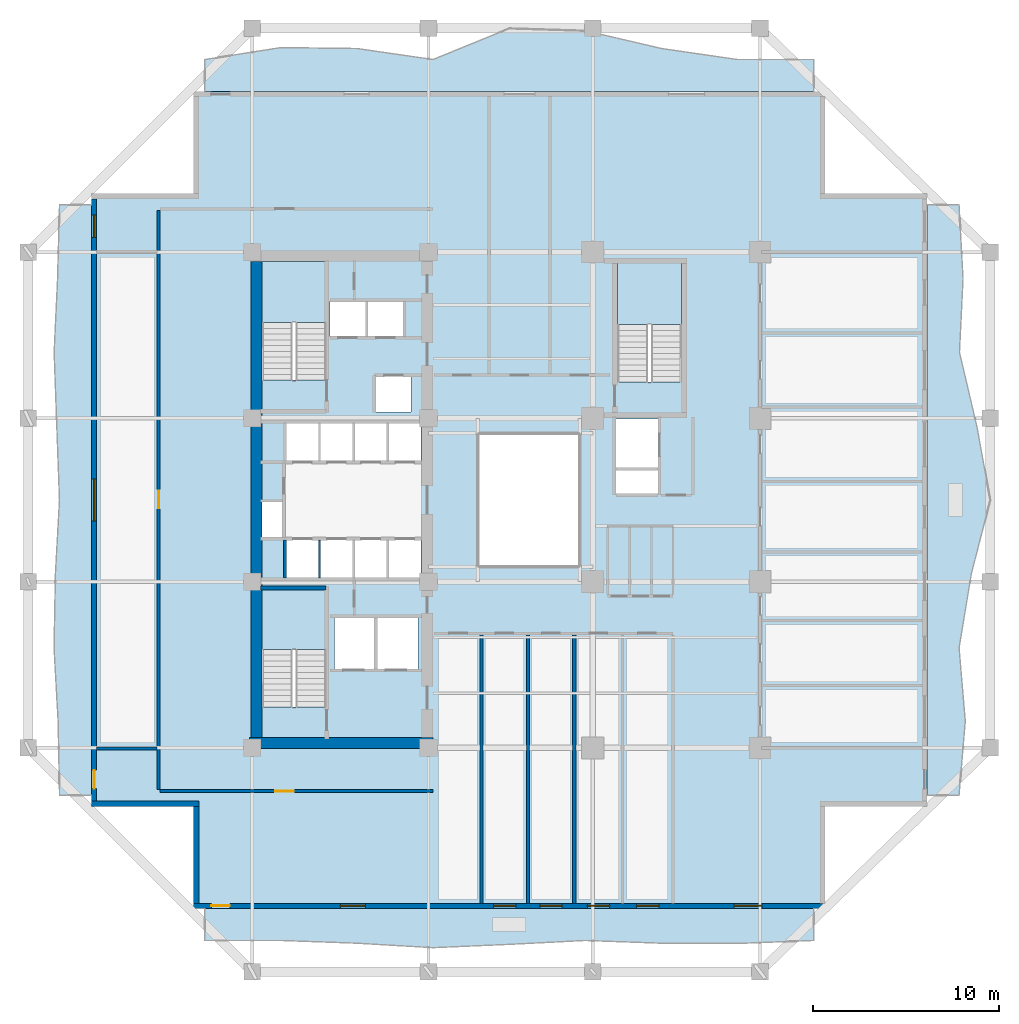
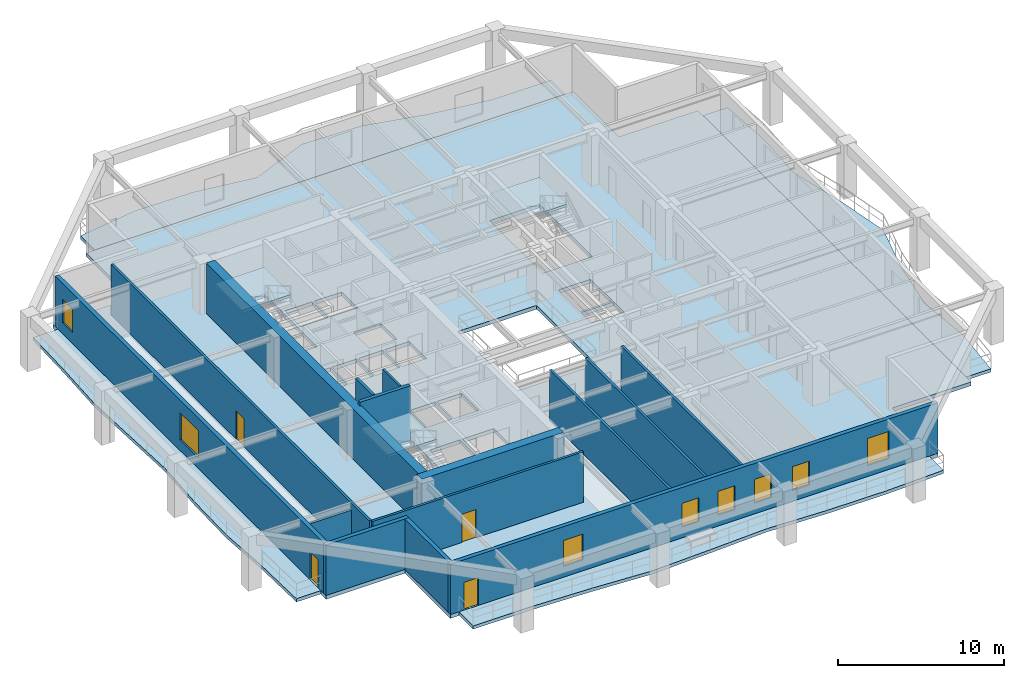
# One storey, part 2 of 13: 15 walls, 8 slabs, 8 windows, 4 doors, 12 openings, 3 elements without a shape of their own.
"""IFC4 building model written with IfcOpenShell, lengths in metres."""

from ifc_helpers import new_model, si_unit, direction, frame, frame_2d, origin, place, context, subcontext, project, spatial, polyline, rectangle, outline, extrude, material, layer, layer_set, type_object, element, fill, aggregate, save


model = new_model("IFC4")

# Units and contexts
model_context = context("Model", 3, precision=1e-05, world=origin(), true_north=direction((0.0, 1.0)))
body_context = subcontext(model_context, "Body", "Model", "MODEL_VIEW")
ifc_project = project(units=[si_unit("LENGTHUNIT", "METRE"), si_unit("AREAUNIT", "SQUARE_METRE"), si_unit("VOLUMEUNIT", "CUBIC_METRE"), si_unit("PLANEANGLEUNIT", "RADIAN"), si_unit("MASSUNIT", "GRAM", prefix="KILO")], contexts=[model_context])

# Site, building, storey
site_placement = place(None, origin())
site = spatial("IfcSite", under=ifc_project, at=site_placement, CompositionType="ELEMENT")
building_placement = place(site_placement, origin())
building = spatial("IfcBuilding", under=site, at=building_placement, Name="Kundavana Baori Tower", CompositionType="ELEMENT")
storey_placement = place(building_placement, frame((0.0, 0.0, 62.0)))
storey = spatial("IfcBuildingStorey", under=building, at=storey_placement, Name="L14", CompositionType="ELEMENT", Elevation=62.0)

# Slab
ifc_material_1 = material(Name="Concrete C40/50", Category="concrete")
ifc_layer_1 = layer(ifc_material_1, 0.280029296875, Name="SLB-FLR-280")
ifc_layer_set_1 = layer_set([ifc_layer_1], Name="Concrete C40/50")
slab_type_1 = type_object("IfcSlabType", Name="SLB-FLR-280", PredefinedType="FLOOR", material=ifc_layer_set_1)
slab_1_placement = place(storey_placement, frame((0.0, 0.0, -0.280029296875)))
element("IfcSlab", 1, at=slab_1_placement, inside=storey, type_object=slab_type_1, Name="L14 Structural Floor Slab", PredefinedType="FLOOR", context=body_context, shape_type="SweptSolid", body=[
    extrude(outline(polyline([(12.300048828125, 6.60009765625), (46.300048828125, 6.60009765625), (46.300048828125, 12.10009765625), (51.800048828125, 12.10009765625), (51.800048828125, 45.10009765625), (46.300048828125, 45.10009765625), (46.300048828125, 50.60009765625), (12.300048828125, 50.60009765625), (12.300048828125, 45.10009765625), (6.800048828125, 45.10009765625), (6.800048828125, 12.10009765625), (12.300048828125, 12.10009765625), (12.300048828125, 6.60009765625)]), holes=[polyline([(19.43994140625, 17.4619140625), (19.43994140625, 23.85009765625), (15.97998046875, 23.85009765625), (15.97998046875, 17.4619140625), (19.43994140625, 17.4619140625)]), polyline([(19.43994140625, 35.06201171875), (19.43994140625, 41.449951171875), (15.97998046875, 41.449951171875), (15.97998046875, 35.06201171875), (19.43994140625, 35.06201171875)]), polyline([(38.580078125, 34.9619140625), (38.580078125, 41.35009765625), (35.1201171875, 41.35009765625), (35.1201171875, 34.9619140625), (38.580078125, 34.9619140625)]), polyline([(17.300048828125, 24.39990234375), (19.02001953125, 24.39990234375), (19.02001953125, 26.449951171875), (17.300048828125, 26.449951171875), (17.300048828125, 24.39990234375)]), polyline([(19.139892578125, 24.39990234375), (20.860107421875, 24.39990234375), (20.860107421875, 26.449951171875), (19.139892578125, 26.449951171875), (19.139892578125, 24.39990234375)]), polyline([(20.97998046875, 24.39990234375), (22.699951171875, 24.39990234375), (22.699951171875, 26.449951171875), (20.97998046875, 26.449951171875), (20.97998046875, 24.39990234375)]), polyline([(22.820068359375, 24.39990234375), (24.5400390625, 24.39990234375), (24.5400390625, 26.449951171875), (22.820068359375, 26.449951171875), (22.820068359375, 24.39990234375)]), polyline([(17.300048828125, 30.699951171875), (19.02001953125, 30.699951171875), (19.02001953125, 32.75), (17.300048828125, 32.75), (17.300048828125, 30.699951171875)]), polyline([(19.139892578125, 30.699951171875), (20.860107421875, 30.699951171875), (20.860107421875, 32.75), (19.139892578125, 32.75), (19.139892578125, 30.699951171875)]), polyline([(20.97998046875, 30.699951171875), (22.699951171875, 30.699951171875), (22.699951171875, 32.75), (20.97998046875, 32.75), (20.97998046875, 30.699951171875)]), polyline([(22.820068359375, 30.699951171875), (24.5400390625, 30.699951171875), (24.5400390625, 32.75), (22.820068359375, 32.75), (22.820068359375, 30.699951171875)]), polyline([(19.64990234375, 37.39990234375), (21.550048828125, 37.39990234375), (21.550048828125, 39.300048828125), (19.64990234375, 39.300048828125), (19.64990234375, 37.39990234375)]), polyline([(21.699951171875, 37.39990234375), (23.60009765625, 37.39990234375), (23.60009765625, 39.300048828125), (21.699951171875, 39.300048828125), (21.699951171875, 37.39990234375)]), polyline([(22.10009765625, 33.35009765625), (24.0, 33.35009765625), (24.0, 35.25), (22.10009765625, 35.25), (22.10009765625, 33.35009765625)]), polyline([(19.8798828125, 19.5), (22.02001953125, 19.5), (22.02001953125, 22.25), (19.8798828125, 22.25), (19.8798828125, 19.5)]), polyline([(22.179931640625, 19.5), (24.3798828125, 19.5), (24.3798828125, 22.25), (22.179931640625, 22.25), (22.179931640625, 19.5)]), polyline([(35.050048828125, 30.35009765625), (37.300048828125, 30.35009765625), (37.300048828125, 32.949951171875), (35.050048828125, 32.949951171875), (35.050048828125, 30.35009765625)]), polyline([(15.949951171875, 26.60009765625), (17.080078125, 26.60009765625), (17.080078125, 28.5), (15.949951171875, 28.5), (15.949951171875, 26.60009765625)]), polyline([(35.050048828125, 28.949951171875), (37.300048828125, 28.949951171875), (37.300048828125, 30.199951171875), (35.050048828125, 30.199951171875), (35.050048828125, 28.949951171875)]), polyline([(27.60009765625, 25.0), (33.10009765625, 25.0), (33.10009765625, 32.199951171875), (27.60009765625, 32.199951171875), (27.60009765625, 25.0)])]), origin(), (0.0, 0.0, 1.0), 0.280029296875),
])

# Stair, slab
ifc_material_2 = material(Name="Concrete C40/50", Category="concrete")
stair_type = type_object("IfcStairType", Name="STR-DOG-1650", PredefinedType="HALF_TURN_STAIR", material=ifc_material_2)
stair_1_placement = place(storey_placement, origin())
stair_1 = element("IfcStair", 2, at=stair_1_placement, inside=storey, type_object=stair_type, Name="L14 Protected Exit Stair ST1", PredefinedType="HALF_TURN_STAIR")
ifc_material_3 = material(Name="Concrete C40/50", Category="concrete")
ifc_layer_2 = layer(ifc_material_3, 0.199951171875, Name="SLB-LND-200")
ifc_layer_set_2 = layer_set([ifc_layer_2], Name="Concrete C40/50")
slab_type_2 = type_object("IfcSlabType", Name="SLB-LND-200", PredefinedType="LANDING", material=ifc_layer_set_2)
slab_2_placement = place(storey_placement, frame((0.0, 0.0, 1.800048828125)))
slab_2 = element("IfcSlab", 3, at=slab_2_placement, type_object=slab_type_2, Name="ST1 landing 1", PredefinedType="LANDING", context=body_context, shape_type="SweptSolid", body=[
    extrude(outline(polyline([(19.43994140625, 20.550048828125), (19.43994140625, 23.85009765625), (15.97998046875, 23.85009765625), (15.97998046875, 20.550048828125), (19.43994140625, 20.550048828125)])), origin(), (0.0, 0.0, 1.0), 0.199951171875),
])
aggregate(stair_1, [slab_2])

stair_2_placement = place(storey_placement, origin())
stair_2 = element("IfcStair", 4, at=stair_2_placement, inside=storey, type_object=stair_type, Name="L14 Protected Exit Stair ST2", PredefinedType="HALF_TURN_STAIR")
slab_3_placement = place(storey_placement, frame((0.0, 0.0, 1.800048828125)))
slab_3 = element("IfcSlab", 5, at=slab_3_placement, type_object=slab_type_2, Name="ST2 landing 1", PredefinedType="LANDING", context=body_context, shape_type="SweptSolid", body=[
    extrude(outline(polyline([(19.43994140625, 38.14990234375), (19.43994140625, 41.449951171875), (15.97998046875, 41.449951171875), (15.97998046875, 38.14990234375), (19.43994140625, 38.14990234375)])), origin(), (0.0, 0.0, 1.0), 0.199951171875),
])
aggregate(stair_2, [slab_3])

stair_3_placement = place(storey_placement, origin())
stair_3 = element("IfcStair", 6, at=stair_3_placement, inside=storey, type_object=stair_type, Name="L14 Protected Exit Stair ST3", PredefinedType="HALF_TURN_STAIR")
slab_4_placement = place(storey_placement, frame((0.0, 0.0, 1.800048828125)))
slab_4 = element("IfcSlab", 7, at=slab_4_placement, type_object=slab_type_2, Name="ST3 landing 1", PredefinedType="LANDING", context=body_context, shape_type="SweptSolid", body=[
    extrude(outline(polyline([(38.580078125, 38.050048828125), (38.580078125, 41.35009765625), (35.1201171875, 41.35009765625), (35.1201171875, 38.050048828125), (38.580078125, 38.050048828125)])), origin(), (0.0, 0.0, 1.0), 0.199951171875),
])
aggregate(stair_3, [slab_4])

# Slabs
ifc_material_4 = material(Name="Concrete C40/50", Category="concrete")
ifc_layer_3 = layer(ifc_material_4, 0.239990234375, Name="SLB-LOG-240")
ifc_layer_set_3 = layer_set([ifc_layer_3], Name="Concrete C40/50")
slab_type_3 = type_object("IfcSlabType", Name="SLB-LOG-240", PredefinedType="FLOOR", material=ifc_layer_set_3)
slab_5_placement = place(storey_placement, frame((0.0, 0.0, -0.239990234375)))
element("IfcSlab", 8, at=slab_5_placement, inside=storey, type_object=slab_type_3, Name="L14 Planted Loggia Balcony Slab S", PredefinedType="FLOOR", context=body_context, shape_type="SweptSolid", body=[
    extrude(outline(polyline([(12.89990234375, 6.60009765625), (45.699951171875, 6.60009765625), (45.699951171875, 4.8798828125), (41.60009765625, 4.718994140625), (37.5, 4.73193359375), (33.39990234375, 4.8798828125), (29.300048828125, 4.669921875), (25.199951171875, 4.491943359375), (21.10009765625, 4.73193359375), (17.0, 4.8798828125), (12.89990234375, 4.8798828125), (12.89990234375, 6.60009765625)])), origin(), (0.0, 0.0, 1.0), 0.239990234375),
])
slab_6_placement = place(storey_placement, frame((0.0, 0.0, -0.239990234375)))
element("IfcSlab", 9, at=slab_6_placement, inside=storey, type_object=slab_type_3, Name="L14 Planted Loggia Balcony Slab E", PredefinedType="FLOOR", context=body_context, shape_type="SweptSolid", body=[
    extrude(outline(polyline([(51.800048828125, 12.699951171875), (51.800048828125, 44.5), (53.52001953125, 44.5), (53.736083984375, 40.52490234375), (53.5439453125, 36.550048828125), (54.47998046875, 32.574951171875), (55.199951171875, 28.60009765625), (54.18505859375, 24.625), (53.52294921875, 20.64990234375), (53.85693359375, 16.675048828125), (53.52001953125, 12.699951171875), (51.800048828125, 12.699951171875)])), origin(), (0.0, 0.0, 1.0), 0.239990234375),
])
slab_7_placement = place(storey_placement, frame((0.0, 0.0, -0.239990234375)))
element("IfcSlab", 10, at=slab_7_placement, inside=storey, type_object=slab_type_3, Name="L14 Planted Loggia Balcony Slab N", PredefinedType="FLOOR", context=body_context, shape_type="SweptSolid", body=[
    extrude(outline(polyline([(45.699951171875, 50.60009765625), (12.89990234375, 50.60009765625), (12.89990234375, 52.320068359375), (17.0, 52.962890625), (21.10009765625, 52.9140625), (25.199951171875, 52.320068359375), (29.300048828125, 54.0), (33.39990234375, 53.8720703125), (37.5, 52.9140625), (41.60009765625, 52.320068359375), (45.699951171875, 52.320068359375), (45.699951171875, 50.60009765625)])), origin(), (0.0, 0.0, 1.0), 0.239990234375),
])
slab_8_placement = place(storey_placement, frame((0.0, 0.0, -0.239990234375)))
element("IfcSlab", 11, at=slab_8_placement, inside=storey, type_object=slab_type_3, Name="L14 Planted Loggia Balcony Slab W", PredefinedType="FLOOR", context=body_context, shape_type="SweptSolid", body=[
    extrude(outline(polyline([(6.800048828125, 44.5), (6.800048828125, 12.699951171875), (5.080078125, 12.699951171875), (5.0029296875, 16.675048828125), (4.783935546875, 20.64990234375), (4.85791015625, 24.625), (5.075927734375, 28.60009765625), (4.931884765625, 32.574951171875), (4.7890625, 36.550048828125), (4.972900390625, 40.52490234375), (5.080078125, 44.5), (6.800048828125, 44.5)])), origin(), (0.0, 0.0, 1.0), 0.239990234375),
])

# Walls
ifc_material_5 = material(Name="Concrete C50/60", Category="concrete")
ifc_layer_4 = layer(ifc_material_5, 0.39990234375, Name="WL-CORE-400")
ifc_layer_set_4 = layer_set([ifc_layer_4], Name="Concrete C50/60")
wall_type_1 = type_object("IfcWallType", Name="WL-CORE-400", PredefinedType="SHEAR", material=ifc_layer_set_4)
wall_1_placement = place(storey_placement, frame((15.89990234375, 23.860107421875, 0.0), z_axis=(0.0, 0.0, 1.0), x_axis=(1.0, 0.0, 0.0)))
element("IfcWall", 12, at=wall_1_placement, inside=storey, type_object=wall_type_1, Name="WL-L14-ST1-N", PredefinedType="SHEAR", context=body_context, shape_type="SweptSolid", body=[
    extrude(rectangle(XDim=3.52001953125, YDim=0.239990234375, at=frame_2d((1.760009765625, 0.0))), origin(), (0.0, 0.0, 1.0), 4.0),
])
ifc_material_6 = material(Name="Concrete C60/75", Category="concrete")
ifc_layer_5 = layer(ifc_material_6, 0.60009765625, Name="WL-CORE-600")
ifc_layer_set_5 = layer_set([ifc_layer_5], Name="Concrete C60/75")
wall_type_2 = type_object("IfcWallType", Name="WL-CORE-600", PredefinedType="SHEAR", material=ifc_layer_set_5)
wall_2_placement = place(storey_placement, frame((15.300048828125, 15.510009765625, 0.0), z_axis=(0.0, 0.0, 1.0), x_axis=(1.0, 0.0, 0.0)))
element("IfcWall", 13, at=wall_2_placement, inside=storey, type_object=wall_type_2, Name="L14 Offset Core South Shear Wall", PredefinedType="SHEAR", context=body_context, shape_type="SweptSolid", body=[
    extrude(rectangle(XDim=9.8798828125, YDim=0.60009765625, at=frame_2d((4.93994140625, 0.0))), origin(), (0.0, 0.0, 1.0), 3.719970703125),
])
wall_3_placement = place(storey_placement, frame((15.68994140625, 15.81005859375, 0.0), z_axis=(0.0, 0.0, 1.0), x_axis=(0.0, 1.0, 0.0)))
element("IfcWall", 14, at=wall_3_placement, inside=storey, type_object=wall_type_2, Name="L14 Offset Core West Shear Wall", PredefinedType="SHEAR", context=body_context, shape_type="SweptSolid", body=[
    extrude(rectangle(XDim=25.6298828125, YDim=0.60009765625, at=frame_2d((12.81494140625, 0.0))), origin(), (0.0, 0.0, 1.0), 3.719970703125),
])

# Wall, openings, door, windows
ifc_material_7 = material(Name="Red-Buff Dholpur Sandstone Cladding on Concrete C40/50", Category="masonry")
ifc_layer_6 = layer(ifc_material_7, 0.280029296875, Name="WL-EXT-SAND-280")
ifc_layer_set_6 = layer_set([ifc_layer_6], Name="Red-Buff Dholpur Sandstone Cladding on Concrete C40/50")
wall_type_3 = type_object("IfcWallType", Name="WL-EXT-SAND-280", PredefinedType="STANDARD", material=ifc_layer_set_6)
wall_4_placement = place(storey_placement, frame((12.300048828125, 6.739990234375, 0.0), z_axis=(0.0, 0.0, 1.0), x_axis=(1.0, 0.0, 0.0)))
wall_4 = element("IfcWall", 15, at=wall_4_placement, inside=storey, type_object=wall_type_3, Name="L14 Exterior Insulated Facade Wall 01", PredefinedType="STANDARD", context=body_context, shape_type="SweptSolid", body=[
    extrude(rectangle(XDim=34.0, YDim=0.280029296875, at=frame_2d((17.0, 0.0))), origin(), (0.0, 0.0, 1.0), 3.719970703125),
])
opening_1_placement = place(wall_4_placement, frame((0.949951171875, 0.0, 0.0)))
opening_1 = element("IfcOpeningElement", 16, at=opening_1_placement, cuts=wall_4, Name="Opening BD-1", PredefinedType="OPENING", context=body_context, shape_type="SweptSolid", body=[
    extrude(rectangle(XDim=1.0, YDim=2.050048828125, at=frame_2d((0.5, 1.02490234375))), frame((0.0, 0.14990234375, 0.0), z_axis=(0.0, -1.0, 0.0), x_axis=(1.0, 0.0, 0.0)), (0.0, 0.0, 1.0), 0.300048828125),
])
opening_2_placement = place(wall_4_placement, frame((7.905029296875, 0.0, 0.800048828125)))
opening_2 = element("IfcOpeningElement", 17, at=opening_2_placement, cuts=wall_4, Name="Opening W-07", PredefinedType="OPENING", context=body_context, shape_type="SweptSolid", body=[
    extrude(rectangle(XDim=1.35009765625, YDim=1.89990234375, at=frame_2d((0.675048828125, 0.949951171875))), frame((0.0, 0.14990234375, 0.0), z_axis=(0.0, -1.0, 0.0), x_axis=(1.0, 0.0, 0.0)), (0.0, 0.0, 1.0), 0.300048828125),
])
opening_3_placement = place(wall_4_placement, frame((16.14990234375, 0.0, 0.800048828125)))
opening_3 = element("IfcOpeningElement", 18, at=opening_3_placement, cuts=wall_4, Name="Opening W-03", PredefinedType="OPENING", context=body_context, shape_type="SweptSolid", body=[
    extrude(rectangle(XDim=1.199951171875, YDim=1.75, at=frame_2d((0.60009765625, 0.875))), frame((0.0, 0.14990234375, 0.0), z_axis=(0.0, -1.0, 0.0), x_axis=(1.0, 0.0, 0.0)), (0.0, 0.0, 1.0), 0.300048828125),
])
opening_4_placement = place(wall_4_placement, frame((18.64990234375, 0.0, 0.800048828125)))
opening_4 = element("IfcOpeningElement", 19, at=opening_4_placement, cuts=wall_4, Name="Opening W-03", PredefinedType="OPENING", context=body_context, shape_type="SweptSolid", body=[
    extrude(rectangle(XDim=1.199951171875, YDim=1.75, at=frame_2d((0.60009765625, 0.875))), frame((0.0, 0.14990234375, 0.0), z_axis=(0.0, -1.0, 0.0), x_axis=(1.0, 0.0, 0.0)), (0.0, 0.0, 1.0), 0.300048828125),
])
opening_5_placement = place(wall_4_placement, frame((21.199951171875, 0.0, 0.800048828125)))
opening_5 = element("IfcOpeningElement", 20, at=opening_5_placement, cuts=wall_4, Name="Opening W-03", PredefinedType="OPENING", context=body_context, shape_type="SweptSolid", body=[
    extrude(rectangle(XDim=1.199951171875, YDim=1.75, at=frame_2d((0.60009765625, 0.875))), frame((0.0, 0.14990234375, 0.0), z_axis=(0.0, -1.0, 0.0), x_axis=(1.0, 0.0, 0.0)), (0.0, 0.0, 1.0), 0.300048828125),
])
opening_6_placement = place(wall_4_placement, frame((23.860107421875, 0.0, 0.800048828125)))
opening_6 = element("IfcOpeningElement", 21, at=opening_6_placement, cuts=wall_4, Name="Opening W-03", PredefinedType="OPENING", context=body_context, shape_type="SweptSolid", body=[
    extrude(rectangle(XDim=1.199951171875, YDim=1.75, at=frame_2d((0.60009765625, 0.875))), frame((0.0, 0.14990234375, 0.0), z_axis=(0.0, -1.0, 0.0), x_axis=(1.0, 0.0, 0.0)), (0.0, 0.0, 1.0), 0.300048828125),
])
opening_7_placement = place(wall_4_placement, frame((29.10498046875, 0.0, 0.800048828125)))
opening_7 = element("IfcOpeningElement", 22, at=opening_7_placement, cuts=wall_4, Name="Opening W-02", PredefinedType="OPENING", context=body_context, shape_type="SweptSolid", body=[
    extrude(rectangle(XDim=1.5, YDim=2.0, at=frame_2d((0.75, 1.0))), frame((0.0, 0.14990234375, 0.0), z_axis=(0.0, -1.0, 0.0), x_axis=(1.0, 0.0, 0.0)), (0.0, 0.0, 1.0), 0.300048828125),
])
ifc_material_8 = material(Name="Architectural Patinated Bronze Metalwork")
door_type_1 = type_object("IfcDoorType", Name="DR-EXT-LOG-1000", OperationType="NOTDEFINED", PredefinedType="DOOR", material=ifc_material_8)
door_1_placement = place(opening_1_placement, frame((1.0, 0.0, 0.0), z_axis=(0.0, 0.0, 1.0), x_axis=(-1.0, 0.0, 0.0)))
door_1 = element("IfcDoor", 23, at=door_1_placement, inside=storey, type_object=door_type_1, Name="L14 Loggia Balcony Access Door S", OperationType="SINGLE_SWING_LEFT", OverallHeight=2.050048828125, OverallWidth=1.0, PredefinedType="DOOR", context=body_context, shape_type="SweptSolid", body=[
    extrude(rectangle(XDim=1.0, YDim=2.050048828125, at=frame_2d((0.5, 1.02490234375))), frame((0.0, 0.02490234375, 0.0), z_axis=(0.0, -1.0, 0.0), x_axis=(1.0, 0.0, 0.0)), (0.0, 0.0, 1.0), 0.050048828125),
])
fill(opening_1, door_1)
ifc_material_9 = material(Name="Double-Glazed Solar-Control Low-E Insulated Glass", Category="glass")
window_type_1 = type_object("IfcWindowType", Name="WIN-LOG-1200x1750", PartitioningType="SINGLE_PANEL", PredefinedType="WINDOW", material=ifc_material_9)
window_1_placement = place(opening_3_placement, origin())
window_1 = element("IfcWindow", 24, at=window_1_placement, inside=storey, type_object=window_type_1, Name="L14 Recessed Loggia Window S-2", OverallHeight=1.75, OverallWidth=1.199951171875, PartitioningType="SINGLE_PANEL", PredefinedType="WINDOW", context=body_context, shape_type="SweptSolid", body=[
    extrude(rectangle(XDim=1.199951171875, YDim=1.75, at=frame_2d((0.60009765625, 0.875))), frame((0.0, 0.030029296875, 0.0), z_axis=(0.0, -1.0, 0.0), x_axis=(1.0, 0.0, 0.0)), (0.0, 0.0, 1.0), 0.06005859375),
])
fill(opening_3, window_1)
window_2_placement = place(opening_4_placement, origin())
window_2 = element("IfcWindow", 25, at=window_2_placement, inside=storey, type_object=window_type_1, Name="L14 Recessed Loggia Window S-3", OverallHeight=1.75, OverallWidth=1.199951171875, PartitioningType="SINGLE_PANEL", PredefinedType="WINDOW", context=body_context, shape_type="SweptSolid", body=[
    extrude(rectangle(XDim=1.199951171875, YDim=1.75, at=frame_2d((0.60009765625, 0.875))), frame((0.0, 0.030029296875, 0.0), z_axis=(0.0, -1.0, 0.0), x_axis=(1.0, 0.0, 0.0)), (0.0, 0.0, 1.0), 0.06005859375),
])
fill(opening_4, window_2)
window_3_placement = place(opening_5_placement, origin())
window_3 = element("IfcWindow", 26, at=window_3_placement, inside=storey, type_object=window_type_1, Name="L14 Recessed Loggia Window S-4", OverallHeight=1.75, OverallWidth=1.199951171875, PartitioningType="SINGLE_PANEL", PredefinedType="WINDOW", context=body_context, shape_type="SweptSolid", body=[
    extrude(rectangle(XDim=1.199951171875, YDim=1.75, at=frame_2d((0.60009765625, 0.875))), frame((0.0, 0.030029296875, 0.0), z_axis=(0.0, -1.0, 0.0), x_axis=(1.0, 0.0, 0.0)), (0.0, 0.0, 1.0), 0.06005859375),
])
fill(opening_5, window_3)
window_4_placement = place(opening_6_placement, origin())
window_4 = element("IfcWindow", 27, at=window_4_placement, inside=storey, type_object=window_type_1, Name="L14 Recessed Loggia Window S-5", OverallHeight=1.75, OverallWidth=1.199951171875, PartitioningType="SINGLE_PANEL", PredefinedType="WINDOW", context=body_context, shape_type="SweptSolid", body=[
    extrude(rectangle(XDim=1.199951171875, YDim=1.75, at=frame_2d((0.60009765625, 0.875))), frame((0.0, 0.030029296875, 0.0), z_axis=(0.0, -1.0, 0.0), x_axis=(1.0, 0.0, 0.0)), (0.0, 0.0, 1.0), 0.06005859375),
])
fill(opening_6, window_4)
ifc_material_10 = material(Name="Double-Glazed Solar-Control Low-E Insulated Glass", Category="glass")
window_type_2 = type_object("IfcWindowType", Name="WIN-LOG-1350x1900", PartitioningType="SINGLE_PANEL", PredefinedType="WINDOW", material=ifc_material_10)
window_5_placement = place(opening_2_placement, origin())
window_5 = element("IfcWindow", 28, at=window_5_placement, inside=storey, type_object=window_type_2, Name="L14 Recessed Loggia Window S-1", OverallHeight=1.89990234375, OverallWidth=1.35009765625, PartitioningType="SINGLE_PANEL", PredefinedType="WINDOW", context=body_context, shape_type="SweptSolid", body=[
    extrude(rectangle(XDim=1.35009765625, YDim=1.89990234375, at=frame_2d((0.675048828125, 0.949951171875))), frame((0.0, 0.030029296875, 0.0), z_axis=(0.0, -1.0, 0.0), x_axis=(1.0, 0.0, 0.0)), (0.0, 0.0, 1.0), 0.06005859375),
])
fill(opening_2, window_5)
ifc_material_11 = material(Name="Double-Glazed Solar-Control Low-E Insulated Glass", Category="glass")
window_type_3 = type_object("IfcWindowType", Name="WIN-LOG-1500x2000", PartitioningType="SINGLE_PANEL", PredefinedType="WINDOW", material=ifc_material_11)
window_6_placement = place(opening_7_placement, origin())
window_6 = element("IfcWindow", 29, at=window_6_placement, inside=storey, type_object=window_type_3, Name="L14 Recessed Loggia Window S-6", OverallHeight=2.0, OverallWidth=1.5, PartitioningType="SINGLE_PANEL", PredefinedType="WINDOW", context=body_context, shape_type="SweptSolid", body=[
    extrude(rectangle(XDim=1.5, YDim=2.0, at=frame_2d((0.75, 1.0))), frame((0.0, 0.030029296875, 0.0), z_axis=(0.0, -1.0, 0.0), x_axis=(1.0, 0.0, 0.0)), (0.0, 0.0, 1.0), 0.06005859375),
])
fill(opening_7, window_6)

wall_5_placement = place(storey_placement, frame((6.93994140625, 44.820068359375, 0.0), z_axis=(0.0, 0.0, 1.0), x_axis=(0.0, -1.0, 0.0)))
wall_5 = element("IfcWall", 30, at=wall_5_placement, inside=storey, type_object=wall_type_3, Name="L14 Exterior Insulated Facade Wall 10", PredefinedType="STANDARD", context=body_context, shape_type="SweptSolid", body=[
    extrude(rectangle(XDim=32.440185546875, YDim=0.280029296875, at=frame_2d((16.22021484375, 0.0))), origin(), (0.0, 0.0, 1.0), 3.719970703125),
])
opening_8_placement = place(wall_5_placement, frame((30.77001953125, 0.0, 0.0)))
opening_8 = element("IfcOpeningElement", 31, at=opening_8_placement, cuts=wall_5, Name="Opening BD-1", PredefinedType="OPENING", context=body_context, shape_type="SweptSolid", body=[
    extrude(rectangle(XDim=1.0, YDim=2.050048828125, at=frame_2d((0.5, 1.02490234375))), frame((0.0, 0.14990234375, 0.0), z_axis=(0.0, -1.0, 0.0), x_axis=(1.0, 0.0, 0.0)), (0.0, 0.0, 1.0), 0.300048828125),
])
opening_9_placement = place(wall_5_placement, frame((15.094970703125, 0.0, 0.800048828125)))
opening_9 = element("IfcOpeningElement", 32, at=opening_9_placement, cuts=wall_5, Name="Opening W-10", PredefinedType="OPENING", context=body_context, shape_type="SweptSolid", body=[
    extrude(rectangle(XDim=2.25, YDim=2.0, at=frame_2d((1.125, 1.0))), frame((0.0, 0.14990234375, 0.0), z_axis=(0.0, -1.0, 0.0), x_axis=(1.0, 0.0, 0.0)), (0.0, 0.0, 1.0), 0.300048828125),
])
opening_10_placement = place(wall_5_placement, frame((0.875, 0.0, 0.800048828125)))
opening_10 = element("IfcOpeningElement", 33, at=opening_10_placement, cuts=wall_5, Name="Opening W-03", PredefinedType="OPENING", context=body_context, shape_type="SweptSolid", body=[
    extrude(rectangle(XDim=1.199951171875, YDim=1.75, at=frame_2d((0.60009765625, 0.875))), frame((0.0, 0.14990234375, 0.0), z_axis=(0.0, -1.0, 0.0), x_axis=(1.0, 0.0, 0.0)), (0.0, 0.0, 1.0), 0.300048828125),
])
door_2_placement = place(opening_8_placement, frame((1.0, 0.0, 0.0), z_axis=(0.0, 0.0, 1.0), x_axis=(-1.0, 0.0, 0.0)))
door_2 = element("IfcDoor", 34, at=door_2_placement, inside=storey, type_object=door_type_1, Name="L14 Loggia Balcony Access Door W", OperationType="SINGLE_SWING_RIGHT", OverallHeight=2.050048828125, OverallWidth=1.0, PredefinedType="DOOR", context=body_context, shape_type="SweptSolid", body=[
    extrude(rectangle(XDim=1.0, YDim=2.050048828125, at=frame_2d((0.5, 1.02490234375))), frame((0.0, 0.02490234375, 0.0), z_axis=(0.0, -1.0, 0.0), x_axis=(1.0, 0.0, 0.0)), (0.0, 0.0, 1.0), 0.050048828125),
])
fill(opening_8, door_2)
window_7_placement = place(opening_10_placement, origin())
window_7 = element("IfcWindow", 35, at=window_7_placement, inside=storey, type_object=window_type_1, Name="L14 Recessed Loggia Window W-3", OverallHeight=1.75, OverallWidth=1.199951171875, PartitioningType="SINGLE_PANEL", PredefinedType="WINDOW", context=body_context, shape_type="SweptSolid", body=[
    extrude(rectangle(XDim=1.199951171875, YDim=1.75, at=frame_2d((0.60009765625, 0.875))), frame((0.0, 0.030029296875, 0.0), z_axis=(0.0, -1.0, 0.0), x_axis=(1.0, 0.0, 0.0)), (0.0, 0.0, 1.0), 0.06005859375),
])
fill(opening_10, window_7)
ifc_material_12 = material(Name="Double-Glazed Solar-Control Low-E Insulated Glass", Category="glass")
window_type_4 = type_object("IfcWindowType", Name="WIN-LOG-2250x2000", PartitioningType="SINGLE_PANEL", PredefinedType="WINDOW", material=ifc_material_12)
window_8_placement = place(opening_9_placement, origin())
window_8 = element("IfcWindow", 36, at=window_8_placement, inside=storey, type_object=window_type_4, Name="L14 Recessed Loggia Window W-2", OverallHeight=2.0, OverallWidth=2.25, PartitioningType="SINGLE_PANEL", PredefinedType="WINDOW", context=body_context, shape_type="SweptSolid", body=[
    extrude(rectangle(XDim=2.25, YDim=2.0, at=frame_2d((1.125, 1.0))), frame((0.0, 0.030029296875, 0.0), z_axis=(0.0, -1.0, 0.0), x_axis=(1.0, 0.0, 0.0)), (0.0, 0.0, 1.0), 0.06005859375),
])
fill(opening_9, window_8)

# Walls
wall_6_placement = place(storey_placement, frame((6.800048828125, 12.239990234375, 0.0), z_axis=(0.0, 0.0, 1.0), x_axis=(1.0, 0.0, 0.0)))
element("IfcWall", 37, at=wall_6_placement, inside=storey, type_object=wall_type_3, Name="L14 Exterior Insulated Facade Wall 11", PredefinedType="STANDARD", context=body_context, shape_type="SweptSolid", body=[
    extrude(rectangle(XDim=5.780029296875, YDim=0.280029296875, at=frame_2d((2.89013671875, 0.0))), origin(), (0.0, 0.0, 1.0), 3.719970703125),
])
wall_7_placement = place(storey_placement, frame((12.43994140625, 12.10009765625, 0.0), z_axis=(0.0, 0.0, 1.0), x_axis=(0.0, -1.0, 0.0)))
element("IfcWall", 38, at=wall_7_placement, inside=storey, type_object=wall_type_3, Name="L14 Exterior Insulated Facade Wall 12", PredefinedType="STANDARD", context=body_context, shape_type="SweptSolid", body=[
    extrude(rectangle(XDim=5.22021484375, YDim=0.280029296875, at=frame_2d((2.610107421875, 0.0))), origin(), (0.0, 0.0, 1.0), 3.719970703125),
])
ifc_material_13 = material(Name="Acoustic Gypsum Plasterboard on Galvanised Steel Studs", Category="steel")
ifc_layer_7 = layer(ifc_material_13, 0.1201171875, Name="WL-PART-120")
ifc_layer_set_7 = layer_set([ifc_layer_7], Name="Acoustic Gypsum Plasterboard on Galvanised Steel Studs")
wall_type_4 = type_object("IfcWallType", Name="WL-PART-120", PredefinedType="PARTITIONING", material=ifc_layer_set_7)
wall_8_placement = place(storey_placement, frame((19.080078125, 24.39990234375, 0.0), z_axis=(0.0, 0.0, 1.0), x_axis=(0.0, 1.0, 0.0)))
element("IfcWall", 39, at=wall_8_placement, inside=storey, type_object=wall_type_4, Name="WL-L14-LPLOW-D1", PredefinedType="PARTITIONING", context=body_context, shape_type="SweptSolid", body=[
    extrude(rectangle(XDim=2.050048828125, YDim=0.1201171875, at=frame_2d((1.02490234375, 0.0))), origin(), (0.0, 0.0, 1.0), 3.719970703125),
])

# Wall, opening, door
ifc_material_14 = material(Name="Fire-Rated Gypsum Drywall on Galvanised Steel Studs", Category="steel")
ifc_layer_8 = layer(ifc_material_14, 0.1650390625, Name="WL-PART-165")
ifc_layer_set_8 = layer_set([ifc_layer_8], Name="Fire-Rated Gypsum Drywall on Galvanised Steel Studs")
wall_type_5 = type_object("IfcWallType", Name="WL-PART-165", PredefinedType="PARTITIONING", material=ifc_layer_set_8)
wall_9_placement = place(storey_placement, frame((10.419921875, 13.0, 0.0), z_axis=(0.0, 0.0, 1.0), x_axis=(0.0, 1.0, 0.0)))
wall_9 = element("IfcWall", 40, at=wall_9_placement, inside=storey, type_object=wall_type_5, Name="WL-L14-OW", PredefinedType="PARTITIONING", context=body_context, shape_type="SweptSolid", body=[
    extrude(rectangle(XDim=31.199951171875, YDim=0.1650390625, at=frame_2d((15.60009765625, 0.0))), origin(), (0.0, 0.0, 1.0), 3.719970703125),
])
opening_11_placement = place(wall_9_placement, frame((15.14990234375, 0.0, 0.0)))
opening_11 = element("IfcOpeningElement", 41, at=opening_11_placement, cuts=wall_9, Name="Opening ID-095", PredefinedType="OPENING", context=body_context, shape_type="SweptSolid", body=[
    extrude(rectangle(XDim=0.949951171875, YDim=2.080078125, at=frame_2d((0.47509765625, 1.0400390625))), frame((0.0, 0.092529296875, 0.0), z_axis=(0.0, -1.0, 0.0), x_axis=(1.0, 0.0, 0.0)), (0.0, 0.0, 1.0), 0.18505859375),
])
ifc_material_15 = material(Name="Engineered Teak Solid-Core Timber Veneer", Category="wood")
door_type_2 = type_object("IfcDoorType", Name="DR-INT-950", OperationType="NOTDEFINED", PredefinedType="DOOR", material=ifc_material_15)
door_3_placement = place(opening_11_placement, frame((0.949951171875, 0.0, 0.0), z_axis=(0.0, 0.0, 1.0), x_axis=(-1.0, 0.0, 0.0)))
door_3 = element("IfcDoor", 42, at=door_3_placement, inside=storey, type_object=door_type_2, Name="DR-L14-OFW1", OperationType="SINGLE_SWING_LEFT", OverallHeight=2.080078125, OverallWidth=0.949951171875, PredefinedType="DOOR", context=body_context, shape_type="SweptSolid", body=[
    extrude(rectangle(XDim=0.949951171875, YDim=2.080078125, at=frame_2d((0.47509765625, 1.0400390625))), frame((0.0, 0.02490234375, 0.0), z_axis=(0.0, -1.0, 0.0), x_axis=(1.0, 0.0, 0.0)), (0.0, 0.0, 1.0), 0.050048828125),
])
fill(opening_11, door_3)

# Wall
wall_10_placement = place(storey_placement, frame((7.080078125, 15.219970703125, 0.0), z_axis=(0.0, 0.0, 1.0), x_axis=(1.0, 0.0, 0.0)))
element("IfcWall", 43, at=wall_10_placement, inside=storey, type_object=wall_type_5, Name="WL-L14-OWS", PredefinedType="PARTITIONING", context=body_context, shape_type="SweptSolid", body=[
    extrude(rectangle(XDim=3.260009765625, YDim=0.1650390625, at=frame_2d((1.6298828125, 0.0))), origin(), (0.0, 0.0, 1.0), 3.219970703125),
])

# Wall, opening, door
wall_11_placement = place(storey_placement, frame((10.5, 12.919921875, 0.0), z_axis=(0.0, 0.0, 1.0), x_axis=(1.0, 0.0, 0.0)))
wall_11 = element("IfcWall", 44, at=wall_11_placement, inside=storey, type_object=wall_type_5, Name="WL-L14-OSC", PredefinedType="PARTITIONING", context=body_context, shape_type="SweptSolid", body=[
    extrude(rectangle(XDim=14.699951171875, YDim=0.1650390625, at=frame_2d((7.35009765625, 0.0))), origin(), (0.0, 0.0, 1.0), 3.719970703125),
])
opening_12_placement = place(wall_11_placement, frame((6.199951171875, 0.0, 0.0)))
opening_12 = element("IfcOpeningElement", 45, at=opening_12_placement, cuts=wall_11, Name="Opening ID-100", PredefinedType="OPENING", context=body_context, shape_type="SweptSolid", body=[
    extrude(rectangle(XDim=1.0, YDim=2.080078125, at=frame_2d((0.5, 1.0400390625))), frame((0.0, 0.092529296875, 0.0), z_axis=(0.0, -1.0, 0.0), x_axis=(1.0, 0.0, 0.0)), (0.0, 0.0, 1.0), 0.18505859375),
])
ifc_material_16 = material(Name="Engineered Teak Solid-Core Timber Veneer", Category="wood")
door_type_3 = type_object("IfcDoorType", Name="DR-INT-1000", OperationType="NOTDEFINED", PredefinedType="DOOR", material=ifc_material_16)
door_4_placement = place(opening_12_placement, frame((1.0, 0.0, 0.0), z_axis=(0.0, 0.0, 1.0), x_axis=(-1.0, 0.0, 0.0)))
door_4 = element("IfcDoor", 46, at=door_4_placement, inside=storey, type_object=door_type_3, Name="DR-L14-OSWC", OperationType="SINGLE_SWING_LEFT", OverallHeight=2.080078125, OverallWidth=1.0, PredefinedType="DOOR", context=body_context, shape_type="SweptSolid", body=[
    extrude(rectangle(XDim=1.0, YDim=2.080078125, at=frame_2d((0.5, 1.0400390625))), frame((0.0, 0.02490234375, 0.0), z_axis=(0.0, -1.0, 0.0), x_axis=(1.0, 0.0, 0.0)), (0.0, 0.0, 1.0), 0.050048828125),
])
fill(opening_12, door_4)

# Walls
for number, where, z_axis, x_axis, name in (
    (47, (27.800048828125, 6.8798828125, 0.0), (0.0, 0.0, 1.0), (0.0, 1.0, 0.0), "WL-L14-SD1"),
    (48, (30.300048828125, 6.8798828125, 0.0), (0.0, 0.0, 1.0), (0.0, 1.0, 0.0), "WL-L14-SD2"),
    (49, (32.800048828125, 6.8798828125, 0.0), (0.0, 0.0, 1.0), (0.0, 1.0, 0.0), "WL-L14-SD3"),
):
    element("IfcWall", number, at=place(storey_placement, frame(where, z_axis=z_axis, x_axis=x_axis)), inside=storey, type_object=wall_type_5, Name=name, PredefinedType="PARTITIONING", context=body_context, shape_type="SweptSolid", body=[
        extrude(rectangle(XDim=14.460205078125, YDim=0.1650390625, at=frame_2d((7.22998046875, 0.0))), origin(), (0.0, 0.0, 1.0), 3.719970703125),
    ])
ifc_material_17 = material(Name="Autoclaved Aerated Concrete Blockwork Masonry", Category="masonry")
ifc_layer_9 = layer(ifc_material_17, 0.179931640625, Name="WL-SHAFT-180")
ifc_layer_set_9 = layer_set([ifc_layer_9], Name="Autoclaved Aerated Concrete Blockwork Masonry")
wall_type_6 = type_object("IfcWallType", Name="WL-SHAFT-180", PredefinedType="SOLIDWALL", material=ifc_layer_set_9)
wall_12_placement = place(storey_placement, frame((17.219970703125, 24.39990234375, 0.0), z_axis=(0.0, 0.0, 1.0), x_axis=(0.0, 1.0, 0.0)))
element("IfcWall", 50, at=wall_12_placement, inside=storey, type_object=wall_type_6, Name="WL-L14-LPLOW-W", PredefinedType="SOLIDWALL", context=body_context, shape_type="SweptSolid", body=[
    extrude(rectangle(XDim=2.050048828125, YDim=0.179931640625, at=frame_2d((1.02490234375, 0.0))), origin(), (0.0, 0.0, 1.0), 3.719970703125),
])

save(model, "model.ifc")
